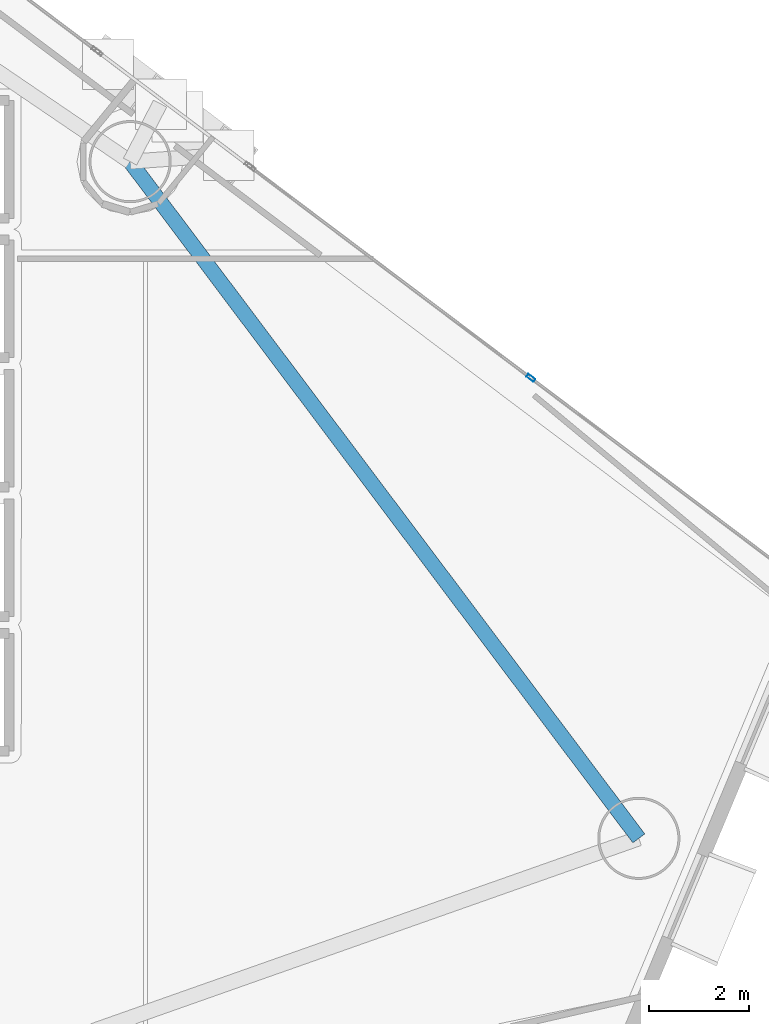
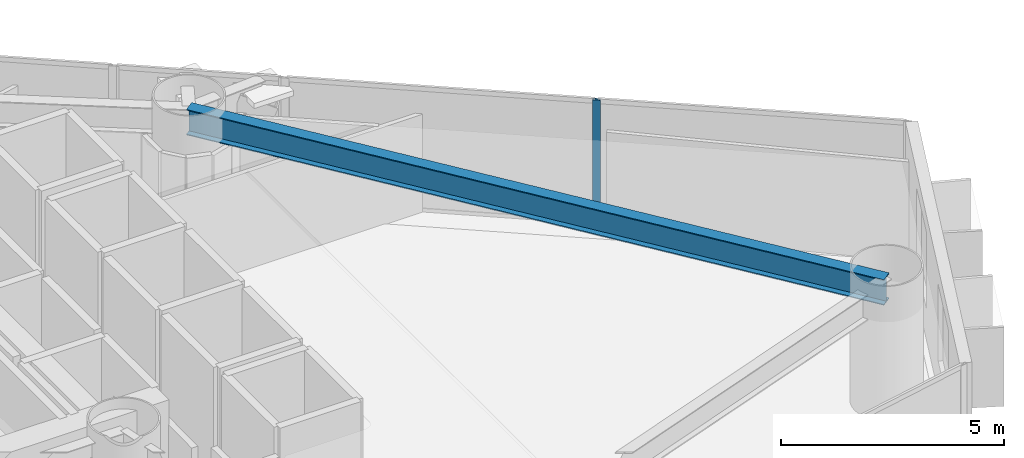
# One storey, part 12 of 22: 1 beam, 1 member, 1 element without a shape of its own.
"""IFC4 building model written with IfcOpenShell, lengths in metres."""

from ifc_helpers import new_model, si_unit, direction, frame, origin, origin_2d, place, context, subcontext, project, spatial, hollow_rectangle, i_section, extrude, material, layer, layer_set, material_profile, profile_set, type_object, element, aggregate, save


model = new_model("IFC4")

# Units and contexts
model_context = context("Model", 3, precision=1e-05, world=origin(), true_north=direction((0.0, 1.0)))
body_context = subcontext(model_context, "Body", "Model", "MODEL_VIEW")
ifc_project = project(units=[si_unit("LENGTHUNIT", "METRE"), si_unit("AREAUNIT", "SQUARE_METRE"), si_unit("VOLUMEUNIT", "CUBIC_METRE"), si_unit("PLANEANGLEUNIT", "RADIAN"), si_unit("MASSUNIT", "GRAM", prefix="KILO")], contexts=[model_context])

# Site, building, storey
site_placement = place(None, origin())
site = spatial("IfcSite", under=ifc_project, at=site_placement, CompositionType="ELEMENT")
building_placement = place(site_placement, origin())
building = spatial("IfcBuilding", under=site, at=building_placement, Name="Qianvela Tower", CompositionType="ELEMENT")
storey_placement = place(building_placement, frame((0.0, 0.0, 89.5)))
storey = spatial("IfcBuildingStorey", under=building, at=storey_placement, Name="L22", CompositionType="ELEMENT", Elevation=89.5)

# Beam
ifc_material_1 = material(Name="Steel Q355B", Category="steel")
ifc_material_profile_1 = material_profile(ifc_material_1, i_section(OverallWidth=0.300048828125, OverallDepth=0.699951171875, WebThickness=0.012939453125, FlangeThickness=0.02392578125, at=origin_2d()), Name="HN700x300x13x24")
ifc_profile_set_1 = profile_set([ifc_material_profile_1], Name="Steel Q355B")
beam_type = type_object("IfcBeamType", Name="BM-HN700-SPAND", PredefinedType="SPANDREL", material=ifc_profile_set_1)
beam_placement = place(storey_placement, frame((56.198974609375, 20.468017578125, 3.048095703125), z_axis=(-0.600881979864, 0.799337754816, 0.0), x_axis=(-0.799337754816, -0.600881979864, 0.0)))
element("IfcBeam", 1, at=beam_placement, inside=storey, type_object=beam_type, Name="L22 Perimeter Ring Spandrel Girder 1", PredefinedType="SPANDREL", context=body_context, shape_type="SweptSolid", body=[
    extrude(i_section(OverallWidth=0.300048828125, OverallDepth=0.699951171875, WebThickness=0.012939453125, FlangeThickness=0.02392578125, at=origin_2d()), origin(), (0.0, 0.0, 1.0), 17.000244140625),
])

# Curtain wall, member
ifc_material_2 = material(Name="Anodised Architectural Aluminium and Low-E Glass", Category="aluminium")
ifc_layer = layer(ifc_material_2, 0.179931640625)
ifc_layer_set = layer_set([ifc_layer], Name="Anodised Architectural Aluminium and Low-E Glass")
curtain_wall_type = type_object("IfcCurtainWallType", Name="CW-COLIV-Z12", PredefinedType="USERDEFINED", material=ifc_layer_set)
curtain_wall_placement = place(storey_placement, origin())
curtain_wall = element("IfcCurtainWall", 2, at=curtain_wall_placement, inside=storey, type_object=curtain_wall_type, Name="L22 CW-COLIV-Z12 Curtain Wall 02A", ObjectType="CURTAIN_WALL_SYSTEM", PredefinedType="USERDEFINED")
ifc_material_3 = material(Name="Anodised Architectural Aluminium 6063-T6", Category="aluminium")
ifc_material_profile_2 = material_profile(ifc_material_3, hollow_rectangle(XDim=0.070068359375, YDim=0.179931640625, WallThickness=0.0048828125, at=origin_2d()), Name="ALU-MULL-70x180")
ifc_profile_set_2 = profile_set([ifc_material_profile_2], Name="Anodised Architectural Aluminium 6063-T6")
member_type = type_object("IfcMemberType", Name="CW-COLIV-Z12-MULL", PredefinedType="MULLION", material=ifc_profile_set_2)
member_placement = place(storey_placement, frame((54.029541015625, 29.714111328125, 0.0), z_axis=(0.0, 0.0, 1.0), x_axis=(-0.601717504597, -0.798708986216, 0.0)))
member = element("IfcMember", 3, at=member_placement, type_object=member_type, Name="CW-3 mullion 2", PredefinedType="MULLION", context=body_context, shape_type="SweptSolid", body=[
    extrude(hollow_rectangle(XDim=0.070068359375, YDim=0.179931640625, WallThickness=0.0048828125, at=origin_2d()), origin(), (0.0, 0.0, 1.0), 3.39990234375),
])
aggregate(curtain_wall, [member])

save(model, "model.ifc")
